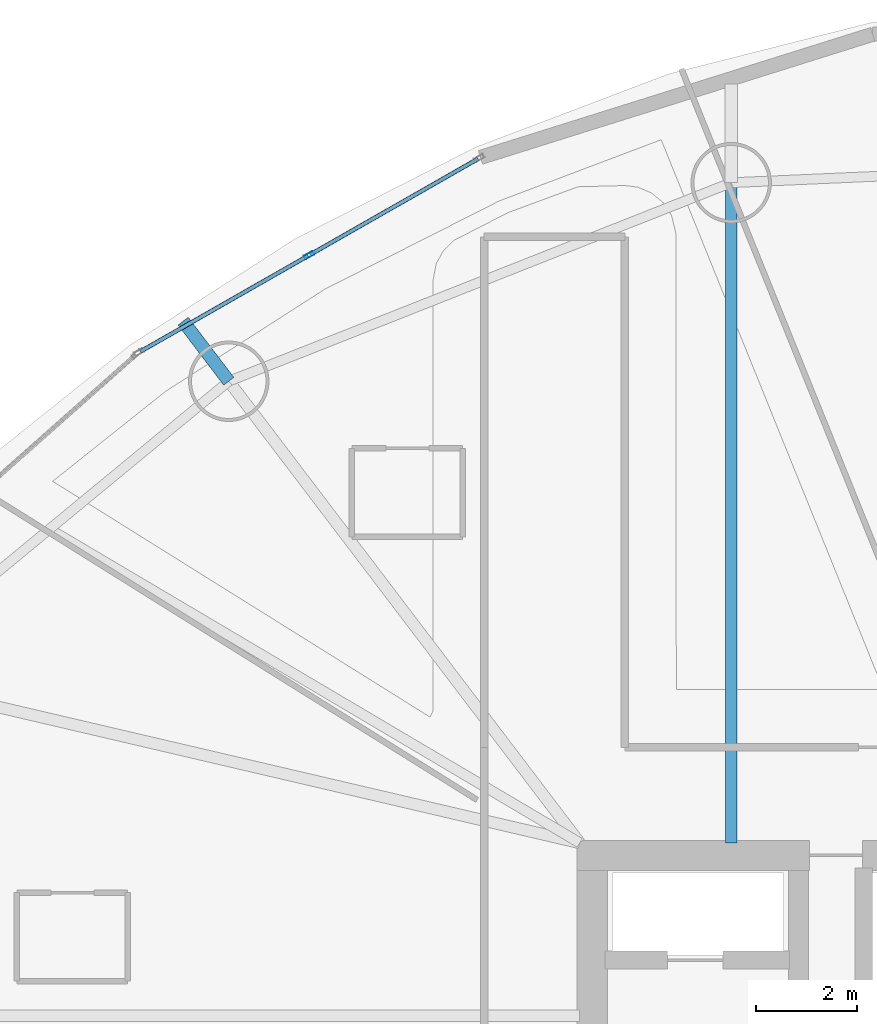
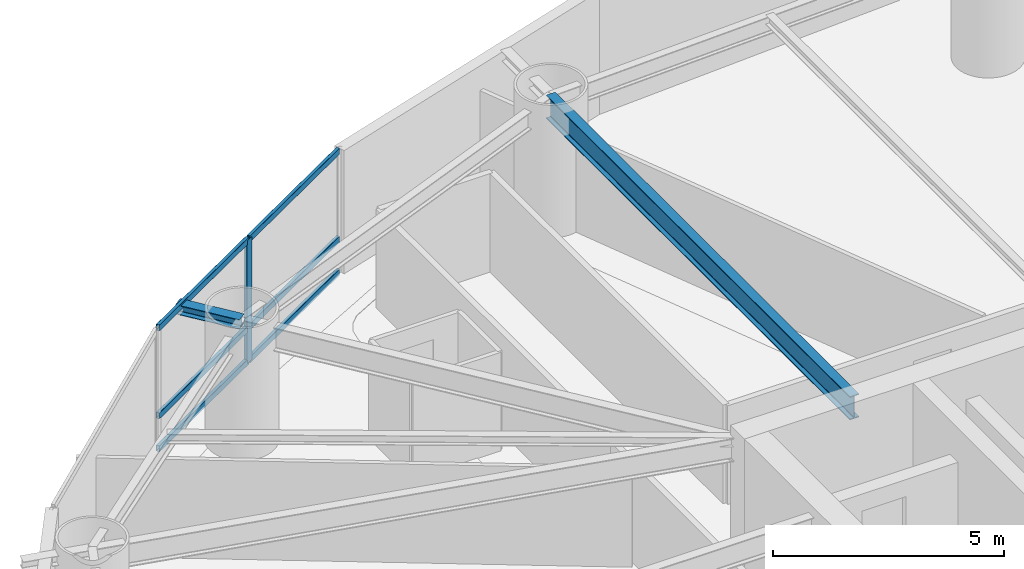
# One storey, part 13 of 26: 7 members, 2 beams, 1 element without a shape of its own.
"""IFC4 building model written with IfcOpenShell, lengths in metres."""

import ifcopenshell
import ifcopenshell.guid

model = None  # the IFC model being written
_history = None  # IfcOwnerHistory: only IFC2X3 demands one
_inside = {}  # id of a spatial element -> (the spatial element, [elements in it])
_under = {}  # id of a project, library or spatial element -> (it, [spatial elements below it])
_declared = {}  # id of a project -> (the project, [libraries it declares])
_typed = {}  # id of a type object -> (the type object, [elements of that type])
_made_of = {}  # id of a material, layer set ... -> (it, [elements and type objects made of it])


def new_model(schema):
    """Start an empty IFC model of exactly this schema.

    Asked for "IFC4X3", IfcOpenShell would pick the latest addendum, in which some entities
    have other attributes; the version numbers below select the first issue.
    IFC2X3 requires an IfcOwnerHistory on every rooted entity: one is made here for all.
    """
    global model, _history
    if schema == "IFC4X3":
        model = ifcopenshell.file(schema_version=(4, 3, 0, 0))
    else:
        model = ifcopenshell.file(schema=schema)
    _inside.clear()
    _under.clear()
    _declared.clear()
    _typed.clear()
    _made_of.clear()
    _history = None
    if model.schema == "IFC2X3":
        org = make("IfcOrganization", Name="unknown")
        user = make(
            "IfcPersonAndOrganization",
            ThePerson=make("IfcPerson", FamilyName="unknown"),
            TheOrganization=org,
        )
        app = make(
            "IfcApplication",
            ApplicationDeveloper=org,
            Version="unknown",
            ApplicationFullName="unknown",
            ApplicationIdentifier="unknown",
        )
        _history = make(
            "IfcOwnerHistory",
            OwningUser=user,
            OwningApplication=app,
            ChangeAction="ADDED",
            CreationDate=0,
        )
    return model


def make(cls, **values):
    """One entity of the class cls with the attributes given. An attribute that is None is left unset."""
    return model.create_entity(
        cls, **{name: value for name, value in values.items() if value is not None}
    )


def rooted(cls, **values):
    """An entity with a GlobalId (a new one), such as an element, a storey or a relation."""
    return make(cls, GlobalId=ifcopenshell.guid.new(), OwnerHistory=_history, **values)


def si_unit(unit_type, name, prefix=None):
    """IfcSIUnit, for example si_unit("LENGTHUNIT", "METRE", prefix="MILLI")."""
    return make("IfcSIUnit", UnitType=unit_type, Prefix=prefix, Name=name)


def assignment(units):
    """IfcUnitAssignment: the units of a project."""
    return None if units is None else make("IfcUnitAssignment", Units=units)


def point(xyz):
    """IfcCartesianPoint."""
    return None if xyz is None else make("IfcCartesianPoint", Coordinates=xyz)


def direction(xyz):
    """IfcDirection."""
    return None if xyz is None else make("IfcDirection", DirectionRatios=xyz)


def frame(location, z_axis=None, x_axis=None):
    """IfcAxis2Placement3D, a coordinate frame: its origin and axes. An axis left out is left unset."""
    return make(
        "IfcAxis2Placement3D",
        Location=point(location),
        Axis=direction(z_axis),
        RefDirection=direction(x_axis),
    )


def frame_2d(location, x_axis=None):
    """IfcAxis2Placement2D, a coordinate frame in the plane: its origin and x axis."""
    return make(
        "IfcAxis2Placement2D", Location=point(location), RefDirection=direction(x_axis)
    )


def origin():
    """The frame at (0, 0, 0) with its axes left unset."""
    return frame((0.0, 0.0, 0.0))


def origin_2d():
    """The frame at (0, 0) in the plane with its x axis left unset."""
    return frame_2d((0.0, 0.0))


def place(relative_to, where):
    """IfcLocalPlacement: puts the frame where relative to a parent placement (None: the world)."""
    return make(
        "IfcLocalPlacement", PlacementRelTo=relative_to, RelativePlacement=where
    )


def context(
    kind, dimensions, precision=None, world=None, true_north=None, identifier=None
):
    """IfcGeometricRepresentationContext, for example the 3D "Model" context."""
    return make(
        "IfcGeometricRepresentationContext",
        ContextIdentifier=identifier,
        ContextType=kind,
        CoordinateSpaceDimension=dimensions,
        Precision=precision,
        WorldCoordinateSystem=world,
        TrueNorth=true_north,
    )


def subcontext(parent, identifier, kind, view, scale=None):
    """IfcGeometricRepresentationSubContext, for example "Body" below "Model"."""
    return make(
        "IfcGeometricRepresentationSubContext",
        ContextIdentifier=identifier,
        ContextType=kind,
        ParentContext=parent,
        TargetScale=scale,
        TargetView=view,
    )


def project(units=None, contexts=None):
    """IfcProject with its units and contexts."""
    return rooted(
        "IfcProject",
        Name="project",
        RepresentationContexts=contexts,
        UnitsInContext=assignment(units),
    )


def spatial(cls, under=None, at=None, **own):
    """A site, building, storey or space (cls), placed at a placement, below another one or the project."""
    s = rooted(cls, ObjectPlacement=at, **own)
    if under is not None:
        _under.setdefault(under.id(), (under, []))[1].append(s)
    return s


def profile(cls, at=None, kind="AREA", **sizes):
    """A parametric profile (cls). Its sizes go by their IFC names, for example OverallWidth=200.0."""
    return make(cls, ProfileType=kind, Position=at, **sizes)


def hollow_rectangle(**sizes):
    """IfcRectangleHollowProfileDef."""
    return profile("IfcRectangleHollowProfileDef", **sizes)


def i_section(**sizes):
    """IfcIShapeProfileDef."""
    return profile("IfcIShapeProfileDef", **sizes)


def extrude(swept, where, along, depth):
    """IfcExtrudedAreaSolid: the profile swept, set in the frame where, extruded along a direction by depth."""
    return make(
        "IfcExtrudedAreaSolid",
        SweptArea=swept,
        Position=where,
        ExtrudedDirection=direction(along),
        Depth=depth,
    )


def shape(context_of_items, identifier, shape_type, items):
    """IfcShapeRepresentation: the items that make up one representation, for example the "Body"."""
    return make(
        "IfcShapeRepresentation",
        ContextOfItems=context_of_items,
        RepresentationIdentifier=identifier,
        RepresentationType=shape_type,
        Items=items,
    )


def material(Name=None, Category=None):
    """IfcMaterial."""
    return make("IfcMaterial", Name=Name, Category=Category)


def layer(
    of_material, thickness, ventilated=None, Name=None, Category=None, Priority=None
):
    """IfcMaterialLayer: one layer of a wall or slab, of a material (None: an air gap)."""
    return make(
        "IfcMaterialLayer",
        Material=of_material,
        LayerThickness=thickness,
        IsVentilated=ventilated,
        Name=Name,
        Category=Category,
        Priority=Priority,
    )


def layer_set(layers, Name=None):
    """IfcMaterialLayerSet."""
    return make("IfcMaterialLayerSet", MaterialLayers=layers, LayerSetName=Name)


def material_profile(
    of_material, cross_section, Name=None, Category=None, Priority=None
):
    """IfcMaterialProfile: a cross section and its material."""
    return make(
        "IfcMaterialProfile",
        Name=Name,
        Material=of_material,
        Profile=cross_section,
        Priority=Priority,
        Category=Category,
    )


def profile_set(profiles, Name=None, composite=None):
    """IfcMaterialProfileSet."""
    return make(
        "IfcMaterialProfileSet",
        Name=Name,
        MaterialProfiles=profiles,
        CompositeProfile=composite,
    )


def made_of(thing, what):
    """Note that an element or type object is made of a material, layer set ...; save() writes the relation."""
    if what is not None:
        _made_of.setdefault(what.id(), (what, []))[1].append(thing)
    return thing


def type_object(cls, material=None, **own):
    """A type object (cls), such as IfcWallType, which elements share."""
    return made_of(rooted(cls, **own), material)


def element(
    cls,
    number,
    at=None,
    inside=None,
    cuts=None,
    type_object=None,
    material=None,
    context=None,
    identifier="Body",
    shape_type=None,
    held_by="IfcProductDefinitionShape",
    body=None,
    shapes=None,
    **own,
):
    """One element of the class cls, such as IfcWall. Its Tag is "e" and its number.

    at: its placement. inside: the storey or other place that contains it. cuts: it is an
    opening in that element (IfcRelVoidsElement). A single representation is given by context,
    identifier, shape_type and body (its items); several are given by shapes. held_by: the class
    of the entity that holds the representations. save() writes the other relations.
    """
    e = rooted(cls, Tag="e%d" % number, ObjectPlacement=at, **own)
    if body is not None:
        shapes = [shape(context, identifier, shape_type, body)]
    if shapes is not None:
        e.Representation = make(held_by, Representations=shapes)
    if inside is not None:
        _inside.setdefault(inside.id(), (inside, []))[1].append(e)
    if cuts is not None:
        rooted(
            "IfcRelVoidsElement", RelatingBuildingElement=cuts, RelatedOpeningElement=e
        )
    if type_object is not None:
        _typed.setdefault(type_object.id(), (type_object, []))[1].append(e)
    return made_of(e, material)


def aggregate(whole, parts):
    """IfcRelAggregates: a whole, such as a stair, and the parts it consists of."""
    return rooted("IfcRelAggregates", RelatingObject=whole, RelatedObjects=parts)


def save(model, path):
    """Write the relations noted so far, then the file.

    IfcRelAggregates (storeys below a building ...), IfcRelContainedInSpatialStructure (elements
    in a storey), IfcRelDefinesByType, IfcRelAssociatesMaterial and IfcRelDeclares: one each for
    every whole, place, type object, material and project.
    """
    for whole, parts in _under.values():
        aggregate(whole, parts)
    for where, things in _inside.values():
        rooted(
            "IfcRelContainedInSpatialStructure",
            RelatedElements=things,
            RelatingStructure=where,
        )
    for kind, things in _typed.values():
        rooted("IfcRelDefinesByType", RelatedObjects=things, RelatingType=kind)
    for what, things in _made_of.values():
        rooted("IfcRelAssociatesMaterial", RelatedObjects=things, RelatingMaterial=what)
    for by, libraries in _declared.values():
        rooted("IfcRelDeclares", RelatingContext=by, RelatedDefinitions=libraries)
    model.write(path)


model = new_model("IFC4")

# Units and contexts
model_context = context("Model", 3, precision=1e-05, world=origin(), true_north=direction((0.0, 1.0)))
body_context = subcontext(model_context, "Body", "Model", "MODEL_VIEW")
ifc_project = project(units=[si_unit("LENGTHUNIT", "METRE"), si_unit("AREAUNIT", "SQUARE_METRE"), si_unit("VOLUMEUNIT", "CUBIC_METRE"), si_unit("PLANEANGLEUNIT", "RADIAN"), si_unit("MASSUNIT", "GRAM", prefix="KILO")], contexts=[model_context])

# Site, building, storey
site_placement = place(None, origin())
site = spatial("IfcSite", under=ifc_project, at=site_placement, CompositionType="ELEMENT")
building_placement = place(site_placement, origin())
building = spatial("IfcBuilding", under=site, at=building_placement, Name="Bramvorn Convention Spire", CompositionType="ELEMENT")
storey_placement = place(building_placement, frame((0.0, 0.0, 51.89990234375)))
storey = spatial("IfcBuildingStorey", under=building, at=storey_placement, Name="L10", CompositionType="ELEMENT", Elevation=51.89990234375)

# Beams
ifc_material_1 = material(Name="Steel CSA G40.21 Grade 350 (350W)", Category="steel")
ifc_material_profile_1 = material_profile(ifc_material_1, i_section(OverallWidth=0.25390625, OverallDepth=0.2529296875, WebThickness=0.008544921875, FlangeThickness=0.01416015625, FilletRadius=0.011962890625, at=origin_2d()))
ifc_profile_set_1 = profile_set([ifc_material_profile_1], Name="Steel CSA G40.21 Grade 350 (350W) - W250X73")
beam_type_1 = type_object("IfcBeamType", Name="BM-W250X73", PredefinedType="BEAM", material=ifc_profile_set_1)
beam_1_placement = place(storey_placement, frame((19.772216796875, 42.628662109375, 3.12353515625), z_axis=(-0.605248354616, 0.796036700934, 0.0), x_axis=(-0.796036700934, -0.605248354616, 0.0)))
element("IfcBeam", 1, at=beam_1_placement, inside=storey, type_object=beam_type_1, Name="L10 slab-edge cantilever tip beam MC07", PredefinedType="BEAM", context=body_context, shape_type="SweptSolid", body=[
    extrude(i_section(OverallWidth=0.25390625, OverallDepth=0.2529296875, WebThickness=0.008544921875, FlangeThickness=0.01416015625, FilletRadius=0.011962890625, at=origin_2d()), origin(), (0.0, 0.0, 1.0), 1.499755859375),
])
ifc_material_profile_2 = material_profile(ifc_material_1, i_section(OverallWidth=0.22998046875, OverallDepth=0.616943359375, WebThickness=0.01318359375, FlangeThickness=0.022216796875, FilletRadius=0.02001953125, at=origin_2d()))
ifc_profile_set_2 = profile_set([ifc_material_profile_2], Name="Steel CSA G40.21 Grade 350 (350W) - W610X140")
beam_type_2 = type_object("IfcBeamType", Name="BM-W610X140", PredefinedType="BEAM", material=ifc_profile_set_2)
beam_2_placement = place(storey_placement, frame((29.76220703125, 33.449951171875, 2.941650390625), z_axis=(0.0, 1.0, 0.0), x_axis=(-1.0, 0.0, 0.0)))
element("IfcBeam", 2, at=beam_2_placement, inside=storey, type_object=beam_type_2, Name="L10 radial floor girder MC06", PredefinedType="BEAM", context=body_context, shape_type="SweptSolid", body=[
    extrude(i_section(OverallWidth=0.22998046875, OverallDepth=0.616943359375, WebThickness=0.01318359375, FlangeThickness=0.022216796875, FilletRadius=0.02001953125, at=origin_2d()), origin(), (0.0, 0.0, 1.0), 13.126708984375),
])

# Curtain wall, members
ifc_material_2 = material(Name="Anodised Bronze Unitised Curtain Wall", Category="aluminium")
ifc_layer = layer(ifc_material_2, 0.179931640625)
ifc_layer_set = layer_set([ifc_layer], Name="Anodised Bronze Unitised Curtain Wall - CW-HTL-FRIT")
curtain_wall_type = type_object("IfcCurtainWallType", Name="CW-HTL-FRIT", PredefinedType="USERDEFINED", material=ifc_layer_set)
curtain_wall_placement = place(storey_placement, origin())
curtain_wall = element("IfcCurtainWall", 3, at=curtain_wall_placement, inside=storey, type_object=curtain_wall_type, Name="L10 fritted glass curtain wall 09", ObjectType="UNITISED CURTAIN WALL", PredefinedType="USERDEFINED")
ifc_material_3 = material(Name="Anodised Bronze Aluminium 6063-T6", Category="aluminium")
ifc_material_profile_3 = material_profile(ifc_material_3, hollow_rectangle(XDim=0.080078125, YDim=0.199951171875, WallThickness=0.00390625, InnerFilletRadius=0.0009765625, OuterFilletRadius=0.00390625, at=origin_2d()))
ifc_profile_set_3 = profile_set([ifc_material_profile_3], Name="Anodised Bronze Aluminium 6063-T6 - CWM80X200")
member_type_1 = type_object("IfcMemberType", Name="CW-MUL-180", PredefinedType="MULLION", material=ifc_profile_set_3)
member_1_placement = place(storey_placement, frame((21.371337890625, 45.135009765625, 0.0), z_axis=(0.0, 0.0, 1.0), x_axis=(-0.495710574258, 0.868487781473, 0.0)))
member_1 = element("IfcMember", 4, at=member_1_placement, type_object=member_type_1, Name="CW2 mullion 2", PredefinedType="MULLION", context=body_context, shape_type="SweptSolid", body=[
    extrude(hollow_rectangle(XDim=0.080078125, YDim=0.199951171875, WallThickness=0.00390625, InnerFilletRadius=0.0009765625, OuterFilletRadius=0.00390625, at=origin_2d()), origin(), (0.0, 0.0, 1.0), 3.25),
])
ifc_material_profile_4 = material_profile(ifc_material_3, hollow_rectangle(XDim=0.080078125, YDim=0.159912109375, WallThickness=0.00390625, InnerFilletRadius=0.0009765625, OuterFilletRadius=0.00390625, at=origin_2d()))
ifc_profile_set_4 = profile_set([ifc_material_profile_4], Name="Anodised Bronze Aluminium 6063-T6 - CWT80X160")
member_type_2 = type_object("IfcMemberType", Name="CW-TRN-150", PredefinedType="USERDEFINED", material=ifc_profile_set_4)
member_2_placement = place(storey_placement, frame((18.016845703125, 43.220458984375, 0.030029296875), z_axis=(0.868513501718, 0.495665509525, 0.0), x_axis=(-0.495665509525, 0.868513501718, 0.0)))
member_2 = element("IfcMember", 5, at=member_2_placement, type_object=member_type_2, Name="CW2 transom 1.1", ObjectType="TRANSOM", PredefinedType="USERDEFINED", context=body_context, shape_type="SweptSolid", body=[
    extrude(hollow_rectangle(XDim=0.080078125, YDim=0.159912109375, WallThickness=0.00390625, InnerFilletRadius=0.0009765625, OuterFilletRadius=0.00390625, at=origin_2d()), origin(), (0.0, 0.0, 1.0), 3.83251953125),
])
member_3_placement = place(storey_placement, frame((18.016845703125, 43.220458984375, 0.900146484375), z_axis=(0.868513501718, 0.495665509525, 0.0), x_axis=(-0.495665509525, 0.868513501718, 0.0)))
member_3 = element("IfcMember", 6, at=member_3_placement, type_object=member_type_2, Name="CW2 transom 1.2", ObjectType="TRANSOM", PredefinedType="USERDEFINED", context=body_context, shape_type="SweptSolid", body=[
    extrude(hollow_rectangle(XDim=0.080078125, YDim=0.159912109375, WallThickness=0.00390625, InnerFilletRadius=0.0009765625, OuterFilletRadius=0.00390625, at=origin_2d()), origin(), (0.0, 0.0, 1.0), 3.83251953125),
])
member_4_placement = place(storey_placement, frame((18.016845703125, 43.220458984375, 3.22021484375), z_axis=(0.868513501718, 0.495665509525, 0.0), x_axis=(-0.495665509525, 0.868513501718, 0.0)))
member_4 = element("IfcMember", 7, at=member_4_placement, type_object=member_type_2, Name="CW2 transom 1.3", ObjectType="TRANSOM", PredefinedType="USERDEFINED", context=body_context, shape_type="SweptSolid", body=[
    extrude(hollow_rectangle(XDim=0.080078125, YDim=0.159912109375, WallThickness=0.00390625, InnerFilletRadius=0.0009765625, OuterFilletRadius=0.00390625, at=origin_2d()), origin(), (0.0, 0.0, 1.0), 3.83251953125),
])
member_5_placement = place(storey_placement, frame((21.3974609375, 45.14990234375, 0.030029296875), z_axis=(0.8684704236, 0.495740984116, 0.0), x_axis=(-0.495740984116, 0.8684704236, 0.0)))
member_5 = element("IfcMember", 8, at=member_5_placement, type_object=member_type_2, Name="CW2 transom 2.1", ObjectType="TRANSOM", PredefinedType="USERDEFINED", context=body_context, shape_type="SweptSolid", body=[
    extrude(hollow_rectangle(XDim=0.080078125, YDim=0.159912109375, WallThickness=0.00390625, InnerFilletRadius=0.0009765625, OuterFilletRadius=0.00390625, at=origin_2d()), origin(), (0.0, 0.0, 1.0), 3.83251953125),
])
member_6_placement = place(storey_placement, frame((21.3974609375, 45.14990234375, 0.900146484375), z_axis=(0.8684704236, 0.495740984116, 0.0), x_axis=(-0.495740984116, 0.8684704236, 0.0)))
member_6 = element("IfcMember", 9, at=member_6_placement, type_object=member_type_2, Name="CW2 transom 2.2", ObjectType="TRANSOM", PredefinedType="USERDEFINED", context=body_context, shape_type="SweptSolid", body=[
    extrude(hollow_rectangle(XDim=0.080078125, YDim=0.159912109375, WallThickness=0.00390625, InnerFilletRadius=0.0009765625, OuterFilletRadius=0.00390625, at=origin_2d()), origin(), (0.0, 0.0, 1.0), 3.83251953125),
])
member_7_placement = place(storey_placement, frame((21.3974609375, 45.14990234375, 3.22021484375), z_axis=(0.8684704236, 0.495740984116, 0.0), x_axis=(-0.495740984116, 0.8684704236, 0.0)))
member_7 = element("IfcMember", 10, at=member_7_placement, type_object=member_type_2, Name="CW2 transom 2.3", ObjectType="TRANSOM", PredefinedType="USERDEFINED", context=body_context, shape_type="SweptSolid", body=[
    extrude(hollow_rectangle(XDim=0.080078125, YDim=0.159912109375, WallThickness=0.00390625, InnerFilletRadius=0.0009765625, OuterFilletRadius=0.00390625, at=origin_2d()), origin(), (0.0, 0.0, 1.0), 3.83251953125),
])
aggregate(curtain_wall, [member_1, member_2, member_3, member_4, member_5, member_6, member_7])

save(model, "model.ifc")
